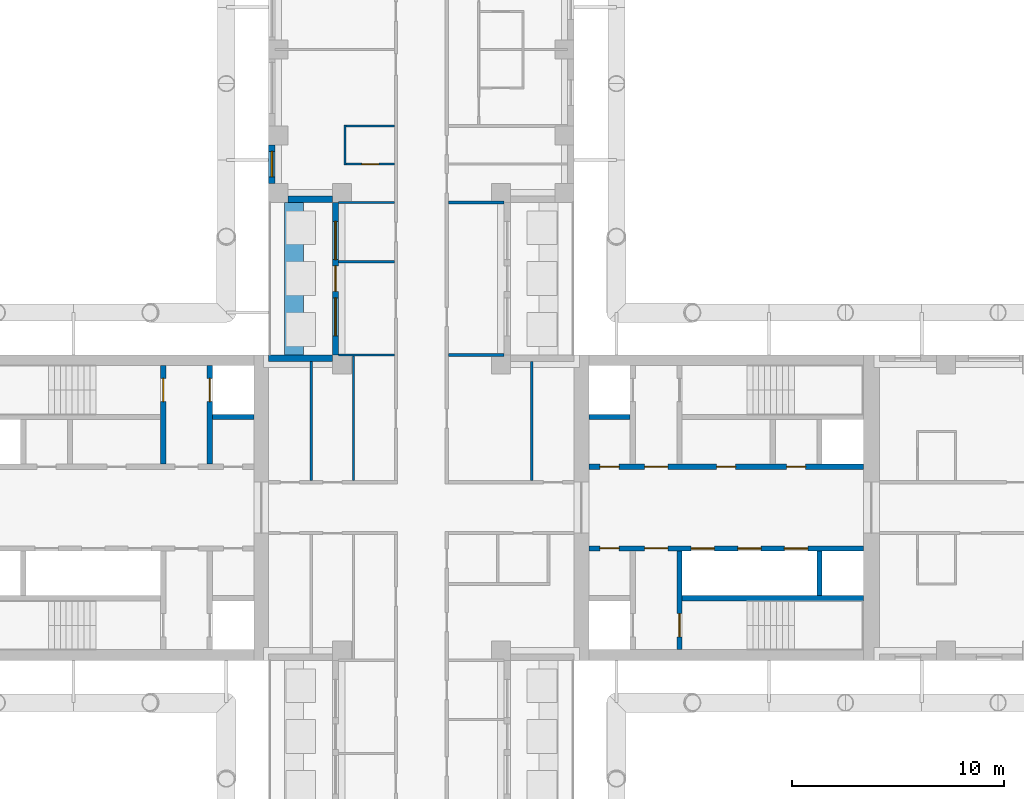
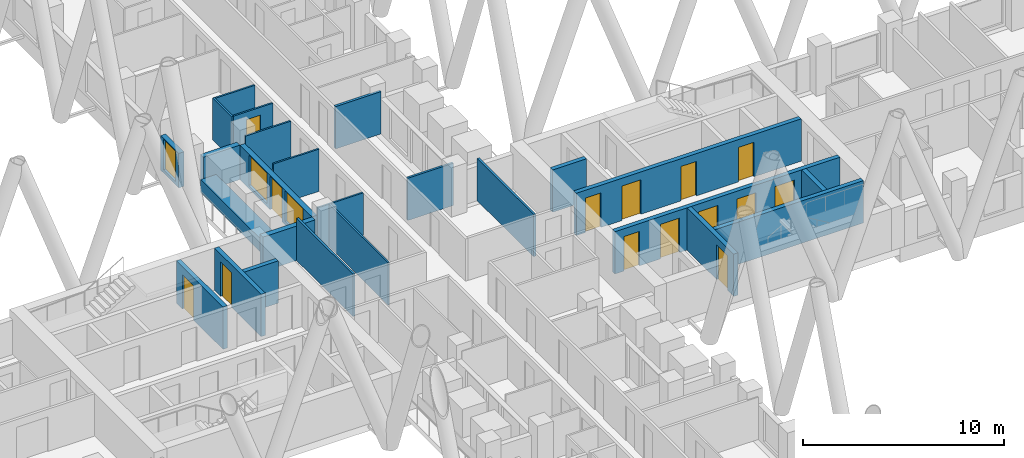
# One storey, part 9 of 17: 25 walls, 14 doors, 3 windows, 17 openings.
"""IFC4 building model written with IfcOpenShell, lengths in metres."""

from ifc_helpers import new_model, si_unit, direction, frame, frame_2d, origin, place, context, subcontext, project, spatial, rectangle, extrude, material, layer, layer_set, type_object, element, fill, save


model = new_model("IFC4")

# Units and contexts
model_context = context("Model", 3, precision=1e-05, world=origin(), true_north=direction((0.0, 1.0)))
body_context = subcontext(model_context, "Body", "Model", "MODEL_VIEW")
ifc_project = project(units=[si_unit("LENGTHUNIT", "METRE"), si_unit("AREAUNIT", "SQUARE_METRE"), si_unit("VOLUMEUNIT", "CUBIC_METRE"), si_unit("PLANEANGLEUNIT", "RADIAN"), si_unit("MASSUNIT", "GRAM", prefix="KILO")], contexts=[model_context])

# Site, building, storey
site_placement = place(None, origin())
site = spatial("IfcSite", under=ifc_project, at=site_placement, CompositionType="ELEMENT")
building_placement = place(site_placement, origin())
building = spatial("IfcBuilding", under=site, at=building_placement, Name="Fustian Cross Tower", CompositionType="ELEMENT")
storey_placement = place(building_placement, frame((0.0, 0.0, 56.699951171875)))
storey = spatial("IfcBuildingStorey", under=building, at=storey_placement, Name="L17", CompositionType="ELEMENT", Elevation=56.699951171875)

# Wall
ifc_material_1 = material(Name="Plasterboard on steel stud", Category="steel")
ifc_layer_1 = layer(ifc_material_1, 0.14990234375)
ifc_layer_set_1 = layer_set([ifc_layer_1], Name="Plasterboard on steel stud")
wall_type_1 = type_object("IfcWallType", Name="COMPARTMENT WALL 150 EI 60", PredefinedType="PARTITIONING", material=ifc_layer_set_1)
wall_1_placement = place(storey_placement, frame((1.27490234375, 14.39990234375, 0.0), z_axis=(0.0, 0.0, 1.0), x_axis=(1.0, 0.0, 0.0)))
element("IfcWall", 1, at=wall_1_placement, inside=storey, type_object=wall_type_1, Name="Partition 60", PredefinedType="PARTITIONING", context=body_context, shape_type="SweptSolid", body=[
    extrude(rectangle(XDim=2.625, YDim=0.14990234375, at=frame_2d((1.3125, 0.0))), origin(), (0.0, 0.0, 1.0), 2.574951171875),
])

# Wall, openings, doors
ifc_material_2 = material(Name="Concrete C50/60", Category="concrete")
ifc_layer_2 = layer(ifc_material_2, 0.25)
ifc_layer_set_2 = layer_set([ifc_layer_2], Name="Concrete C50/60")
wall_type_2 = type_object("IfcWallType", Name="CORE LOBBY WALL 250 C50/60", PredefinedType="SHEAR", material=ifc_layer_set_2)
wall_2_placement = place(storey_placement, frame((7.89990234375, 1.925048828125, 0.0), z_axis=(0.0, 0.0, 1.0), x_axis=(1.0, 0.0, 0.0)))
wall_2 = element("IfcWall", 2, at=wall_2_placement, inside=storey, type_object=wall_type_2, Name="Core lobby wall", PredefinedType="SHEAR", context=body_context, shape_type="SweptSolid", body=[
    extrude(rectangle(XDim=12.9501953125, YDim=0.25, at=frame_2d((6.47509765625, 0.0))), origin(), (0.0, 0.0, 1.0), 2.574951171875),
])
opening_1_placement = place(wall_2_placement, frame((0.52490234375, 0.0, 0.0)))
opening_1 = element("IfcOpeningElement", 3, at=opening_1_placement, cuts=wall_2, Name="Opening CD-06-08", PredefinedType="OPENING", context=body_context, shape_type="SweptSolid", body=[
    extrude(rectangle(XDim=0.89990234375, YDim=2.10009765625, at=frame_2d((0.449951171875, 1.050048828125))), frame((0.0, 0.135009765625, 0.0), z_axis=(0.0, -1.0, 0.0), x_axis=(1.0, 0.0, 0.0)), (0.0, 0.0, 1.0), 0.27001953125),
])
opening_2_placement = place(wall_2_placement, frame((2.625, 0.0, 0.0)))
opening_2 = element("IfcOpeningElement", 4, at=opening_2_placement, cuts=wall_2, Name="Opening CD-06-10", PredefinedType="OPENING", context=body_context, shape_type="SweptSolid", body=[
    extrude(rectangle(XDim=1.10009765625, YDim=2.10009765625, at=frame_2d((0.550048828125, 1.050048828125))), frame((0.0, 0.135009765625, 0.0), z_axis=(0.0, -1.0, 0.0), x_axis=(1.0, 0.0, 0.0)), (0.0, 0.0, 1.0), 0.27001953125),
])
opening_3_placement = place(wall_2_placement, frame((6.02490234375, 0.0, 0.0)))
opening_3 = element("IfcOpeningElement", 5, at=opening_3_placement, cuts=wall_2, Name="Opening CD-06-14", PredefinedType="OPENING", context=body_context, shape_type="SweptSolid", body=[
    extrude(rectangle(XDim=0.89990234375, YDim=2.10009765625, at=frame_2d((0.449951171875, 1.050048828125))), frame((0.0, 0.135009765625, 0.0), z_axis=(0.0, -1.0, 0.0), x_axis=(1.0, 0.0, 0.0)), (0.0, 0.0, 1.0), 0.27001953125),
])
opening_4_placement = place(wall_2_placement, frame((9.324951171875, 0.0, 0.0)))
opening_4 = element("IfcOpeningElement", 6, at=opening_4_placement, cuts=wall_2, Name="Opening CD-06-15", PredefinedType="OPENING", context=body_context, shape_type="SweptSolid", body=[
    extrude(rectangle(XDim=0.89990234375, YDim=2.10009765625, at=frame_2d((0.449951171875, 1.050048828125))), frame((0.0, 0.135009765625, 0.0), z_axis=(0.0, -1.0, 0.0), x_axis=(1.0, 0.0, 0.0)), (0.0, 0.0, 1.0), 0.27001953125),
])
ifc_material_3 = material(Name="Steel", Category="steel")
door_type_1 = type_object("IfcDoorType", Name="FIRE DOOR FD30S 900X2100", OperationType="SINGLE_SWING_LEFT", PredefinedType="DOOR", material=ifc_material_3)
door_1_placement = place(opening_3_placement, origin())
door_1 = element("IfcDoor", 7, at=door_1_placement, inside=storey, type_object=door_type_1, Name="Core door CD-06-14", OperationType="SINGLE_SWING_RIGHT", OverallHeight=2.10009765625, OverallWidth=0.89990234375, PredefinedType="DOOR", context=body_context, shape_type="SweptSolid", body=[
    extrude(rectangle(XDim=0.89990234375, YDim=2.10009765625, at=frame_2d((0.449951171875, 1.050048828125))), frame((0.0, 0.02490234375, 0.0), z_axis=(0.0, -1.0, 0.0), x_axis=(1.0, 0.0, 0.0)), (0.0, 0.0, 1.0), 0.050048828125),
])
fill(opening_3, door_1)
door_2_placement = place(opening_4_placement, origin())
door_2 = element("IfcDoor", 8, at=door_2_placement, inside=storey, type_object=door_type_1, Name="Core door CD-06-15", OperationType="SINGLE_SWING_LEFT", OverallHeight=2.10009765625, OverallWidth=0.89990234375, PredefinedType="DOOR", context=body_context, shape_type="SweptSolid", body=[
    extrude(rectangle(XDim=0.89990234375, YDim=2.10009765625, at=frame_2d((0.449951171875, 1.050048828125))), frame((0.0, 0.02490234375, 0.0), z_axis=(0.0, -1.0, 0.0), x_axis=(1.0, 0.0, 0.0)), (0.0, 0.0, 1.0), 0.050048828125),
])
fill(opening_4, door_2)
ifc_material_4 = material(Name="Steel", Category="steel")
door_type_2 = type_object("IfcDoorType", Name="FIRE DOOR FD60S 1100X2100", OperationType="SINGLE_SWING_LEFT", PredefinedType="DOOR", material=ifc_material_4)
door_3_placement = place(opening_2_placement, frame((1.10009765625, 0.0, 0.0), z_axis=(0.0, 0.0, 1.0), x_axis=(-1.0, 0.0, 0.0)))
door_3 = element("IfcDoor", 9, at=door_3_placement, inside=storey, type_object=door_type_2, Name="Core door CD-06-10", OperationType="SINGLE_SWING_RIGHT", OverallHeight=2.10009765625, OverallWidth=1.10009765625, PredefinedType="DOOR", context=body_context, shape_type="SweptSolid", body=[
    extrude(rectangle(XDim=1.10009765625, YDim=2.10009765625, at=frame_2d((0.550048828125, 1.050048828125))), frame((0.0, 0.02490234375, 0.0), z_axis=(0.0, -1.0, 0.0), x_axis=(1.0, 0.0, 0.0)), (0.0, 0.0, 1.0), 0.050048828125),
])
fill(opening_2, door_3)
ifc_material_5 = material(Name="Steel", Category="steel")
door_type_3 = type_object("IfcDoorType", Name="FIRE DOOR FD60S 900X2100", OperationType="SINGLE_SWING_LEFT", PredefinedType="DOOR", material=ifc_material_5)
door_4_placement = place(opening_1_placement, origin())
door_4 = element("IfcDoor", 10, at=door_4_placement, inside=storey, type_object=door_type_3, Name="Core door CD-06-08", OperationType="SINGLE_SWING_LEFT", OverallHeight=2.10009765625, OverallWidth=0.89990234375, PredefinedType="DOOR", context=body_context, shape_type="SweptSolid", body=[
    extrude(rectangle(XDim=0.89990234375, YDim=2.10009765625, at=frame_2d((0.449951171875, 1.050048828125))), frame((0.0, 0.02490234375, 0.0), z_axis=(0.0, -1.0, 0.0), x_axis=(1.0, 0.0, 0.0)), (0.0, 0.0, 1.0), 0.050048828125),
])
fill(opening_1, door_4)

wall_3_placement = place(storey_placement, frame((7.89990234375, -1.925048828125, 0.0), z_axis=(0.0, 0.0, 1.0), x_axis=(1.0, 0.0, 0.0)))
wall_3 = element("IfcWall", 11, at=wall_3_placement, inside=storey, type_object=wall_type_2, Name="Core lobby wall", PredefinedType="SHEAR", context=body_context, shape_type="SweptSolid", body=[
    extrude(rectangle(XDim=12.9501953125, YDim=0.25, at=frame_2d((6.47509765625, 0.0))), origin(), (0.0, 0.0, 1.0), 2.574951171875),
])
opening_5_placement = place(wall_3_placement, frame((4.824951171875, 0.0, 0.0)))
opening_5 = element("IfcOpeningElement", 12, at=opening_5_placement, cuts=wall_3, Name="Opening LD", PredefinedType="OPENING", context=body_context, shape_type="SweptSolid", body=[
    extrude(rectangle(XDim=1.10009765625, YDim=2.10009765625, at=frame_2d((0.550048828125, 1.050048828125))), frame((0.0, 0.135009765625, 0.0), z_axis=(0.0, -1.0, 0.0), x_axis=(1.0, 0.0, 0.0)), (0.0, 0.0, 1.0), 0.27001953125),
])
opening_6_placement = place(wall_3_placement, frame((7.02490234375, 0.0, 0.0)))
opening_6 = element("IfcOpeningElement", 13, at=opening_6_placement, cuts=wall_3, Name="Opening LD", PredefinedType="OPENING", context=body_context, shape_type="SweptSolid", body=[
    extrude(rectangle(XDim=1.10009765625, YDim=2.10009765625, at=frame_2d((0.550048828125, 1.050048828125))), frame((0.0, 0.135009765625, 0.0), z_axis=(0.0, -1.0, 0.0), x_axis=(1.0, 0.0, 0.0)), (0.0, 0.0, 1.0), 0.27001953125),
])
opening_7_placement = place(wall_3_placement, frame((9.22509765625, 0.0, 0.0)))
opening_7 = element("IfcOpeningElement", 14, at=opening_7_placement, cuts=wall_3, Name="Opening LD", PredefinedType="OPENING", context=body_context, shape_type="SweptSolid", body=[
    extrude(rectangle(XDim=1.10009765625, YDim=2.10009765625, at=frame_2d((0.550048828125, 1.050048828125))), frame((0.0, 0.135009765625, 0.0), z_axis=(0.0, -1.0, 0.0), x_axis=(1.0, 0.0, 0.0)), (0.0, 0.0, 1.0), 0.27001953125),
])
opening_8_placement = place(wall_3_placement, frame((0.52490234375, 0.0, 0.0)))
opening_8 = element("IfcOpeningElement", 15, at=opening_8_placement, cuts=wall_3, Name="Opening CD-06-09", PredefinedType="OPENING", context=body_context, shape_type="SweptSolid", body=[
    extrude(rectangle(XDim=0.89990234375, YDim=2.10009765625, at=frame_2d((0.449951171875, 1.050048828125))), frame((0.0, 0.135009765625, 0.0), z_axis=(0.0, -1.0, 0.0), x_axis=(1.0, 0.0, 0.0)), (0.0, 0.0, 1.0), 0.27001953125),
])
opening_9_placement = place(wall_3_placement, frame((2.625, 0.0, 0.0)))
opening_9 = element("IfcOpeningElement", 16, at=opening_9_placement, cuts=wall_3, Name="Opening CD-06-11", PredefinedType="OPENING", context=body_context, shape_type="SweptSolid", body=[
    extrude(rectangle(XDim=1.10009765625, YDim=2.10009765625, at=frame_2d((0.550048828125, 1.050048828125))), frame((0.0, 0.135009765625, 0.0), z_axis=(0.0, -1.0, 0.0), x_axis=(1.0, 0.0, 0.0)), (0.0, 0.0, 1.0), 0.27001953125),
])
ifc_material_6 = material(Name="Steel", Category="steel")
door_type_4 = type_object("IfcDoorType", Name="FIRE DOOR FD30S 1100X2100", OperationType="SINGLE_SWING_LEFT", PredefinedType="DOOR", material=ifc_material_6)
door_5_placement = place(opening_9_placement, frame((1.10009765625, 0.0, 0.0), z_axis=(0.0, 0.0, 1.0), x_axis=(-1.0, 0.0, 0.0)))
door_5 = element("IfcDoor", 17, at=door_5_placement, inside=storey, type_object=door_type_4, Name="Core door CD-06-11", OperationType="SINGLE_SWING_RIGHT", OverallHeight=2.10009765625, OverallWidth=1.10009765625, PredefinedType="DOOR", context=body_context, shape_type="SweptSolid", body=[
    extrude(rectangle(XDim=1.10009765625, YDim=2.10009765625, at=frame_2d((0.550048828125, 1.050048828125))), frame((0.0, 0.02490234375, 0.0), z_axis=(0.0, -1.0, 0.0), x_axis=(1.0, 0.0, 0.0)), (0.0, 0.0, 1.0), 0.050048828125),
])
fill(opening_9, door_5)
door_6_placement = place(opening_8_placement, frame((0.89990234375, 0.0, 0.0), z_axis=(0.0, 0.0, 1.0), x_axis=(-1.0, 0.0, 0.0)))
door_6 = element("IfcDoor", 18, at=door_6_placement, inside=storey, type_object=door_type_1, Name="Core door CD-06-09", OperationType="SINGLE_SWING_RIGHT", OverallHeight=2.10009765625, OverallWidth=0.89990234375, PredefinedType="DOOR", context=body_context, shape_type="SweptSolid", body=[
    extrude(rectangle(XDim=0.89990234375, YDim=2.10009765625, at=frame_2d((0.449951171875, 1.050048828125))), frame((0.0, 0.02490234375, 0.0), z_axis=(0.0, -1.0, 0.0), x_axis=(1.0, 0.0, 0.0)), (0.0, 0.0, 1.0), 0.050048828125),
])
fill(opening_8, door_6)
ifc_material_7 = material(Name="Stainless steel", Category="steel")
door_type_5 = type_object("IfcDoorType", Name="LIFT LANDING DOOR 1100X2100", OperationType="SLIDING_TO_LEFT", PredefinedType="DOOR", material=ifc_material_7)
door_7_placement = place(opening_5_placement, origin())
door_7 = element("IfcDoor", 19, at=door_7_placement, inside=storey, type_object=door_type_5, Name="Landing door LR1", OperationType="SLIDING_TO_LEFT", OverallHeight=2.10009765625, OverallWidth=1.10009765625, PredefinedType="DOOR", context=body_context, shape_type="SweptSolid", body=[
    extrude(rectangle(XDim=1.10009765625, YDim=2.10009765625, at=frame_2d((0.550048828125, 1.050048828125))), frame((0.0, 0.02490234375, 0.0), z_axis=(0.0, -1.0, 0.0), x_axis=(1.0, 0.0, 0.0)), (0.0, 0.0, 1.0), 0.050048828125),
])
fill(opening_5, door_7)
door_8_placement = place(opening_6_placement, origin())
door_8 = element("IfcDoor", 20, at=door_8_placement, inside=storey, type_object=door_type_5, Name="Landing door LR2", OperationType="SLIDING_TO_LEFT", OverallHeight=2.10009765625, OverallWidth=1.10009765625, PredefinedType="DOOR", context=body_context, shape_type="SweptSolid", body=[
    extrude(rectangle(XDim=1.10009765625, YDim=2.10009765625, at=frame_2d((0.550048828125, 1.050048828125))), frame((0.0, 0.02490234375, 0.0), z_axis=(0.0, -1.0, 0.0), x_axis=(1.0, 0.0, 0.0)), (0.0, 0.0, 1.0), 0.050048828125),
])
fill(opening_6, door_8)
door_9_placement = place(opening_7_placement, origin())
door_9 = element("IfcDoor", 21, at=door_9_placement, inside=storey, type_object=door_type_5, Name="Landing door LR3", OperationType="SLIDING_TO_LEFT", OverallHeight=2.10009765625, OverallWidth=1.10009765625, PredefinedType="DOOR", context=body_context, shape_type="SweptSolid", body=[
    extrude(rectangle(XDim=1.10009765625, YDim=2.10009765625, at=frame_2d((0.550048828125, 1.050048828125))), frame((0.0, 0.02490234375, 0.0), z_axis=(0.0, -1.0, 0.0), x_axis=(1.0, 0.0, 0.0)), (0.0, 0.0, 1.0), 0.050048828125),
])
fill(opening_7, door_9)

# Walls
ifc_material_8 = material(Name="Concrete C50/60", Category="concrete")
ifc_layer_3 = layer(ifc_material_8, 0.25)
ifc_layer_set_3 = layer_set([ifc_layer_3], Name="Concrete C50/60")
wall_type_3 = type_object("IfcWallType", Name="CORE SHAFT WALL 250 C50/60", PredefinedType="SHEAR", material=ifc_layer_set_3)
wall_4_placement = place(storey_placement, frame((7.89990234375, 4.27490234375, 0.0), z_axis=(0.0, 0.0, 1.0), x_axis=(1.0, 0.0, 0.0)))
element("IfcWall", 22, at=wall_4_placement, inside=storey, type_object=wall_type_3, Name="Core shaft wall", PredefinedType="SHEAR", context=body_context, shape_type="SweptSolid", body=[
    extrude(rectangle(XDim=1.9501953125, YDim=0.25, at=frame_2d((0.97509765625, 0.0))), origin(), (0.0, 0.0, 1.0), 2.574951171875),
])
wall_5_placement = place(storey_placement, frame((12.300048828125, -4.27490234375, 0.0), z_axis=(0.0, 0.0, 1.0), x_axis=(1.0, 0.0, 0.0)))
element("IfcWall", 23, at=wall_5_placement, inside=storey, type_object=wall_type_3, Name="Core shaft wall", PredefinedType="SHEAR", context=body_context, shape_type="SweptSolid", body=[
    extrude(rectangle(XDim=8.550048828125, YDim=0.25, at=frame_2d((4.27490234375, 0.0))), origin(), (0.0, 0.0, 1.0), 2.574951171875),
])

# Wall, opening, door
wall_6_placement = place(storey_placement, frame((12.175048828125, -2.050048828125, 0.0), z_axis=(0.0, 0.0, 1.0), x_axis=(0.0, -1.0, 0.0)))
wall_6 = element("IfcWall", 24, at=wall_6_placement, inside=storey, type_object=wall_type_3, Name="Core shaft wall", PredefinedType="SHEAR", context=body_context, shape_type="SweptSolid", body=[
    extrude(rectangle(XDim=4.64990234375, YDim=0.25, at=frame_2d((2.324951171875, 0.0))), origin(), (0.0, 0.0, 1.0), 2.574951171875),
])
opening_10_placement = place(wall_6_placement, frame((2.949951171875, 0.0, 0.0)))
opening_10 = element("IfcOpeningElement", 25, at=opening_10_placement, cuts=wall_6, Name="Opening CD-06-07", PredefinedType="OPENING", context=body_context, shape_type="SweptSolid", body=[
    extrude(rectangle(XDim=1.10009765625, YDim=2.10009765625, at=frame_2d((0.550048828125, 1.050048828125))), frame((0.0, 0.135009765625, 0.0), z_axis=(0.0, -1.0, 0.0), x_axis=(1.0, 0.0, 0.0)), (0.0, 0.0, 1.0), 0.27001953125),
])
door_10_placement = place(opening_10_placement, origin())
door_10 = element("IfcDoor", 26, at=door_10_placement, inside=storey, type_object=door_type_2, Name="Core door CD-06-07", OperationType="SINGLE_SWING_LEFT", OverallHeight=2.10009765625, OverallWidth=1.10009765625, PredefinedType="DOOR", context=body_context, shape_type="SweptSolid", body=[
    extrude(rectangle(XDim=1.10009765625, YDim=2.10009765625, at=frame_2d((0.550048828125, 1.050048828125))), frame((0.0, 0.02490234375, 0.0), z_axis=(0.0, -1.0, 0.0), x_axis=(1.0, 0.0, 0.0)), (0.0, 0.0, 1.0), 0.050048828125),
])
fill(opening_10, door_10)

# Wall
wall_7_placement = place(storey_placement, frame((-7.89990234375, 4.27490234375, 0.0), z_axis=(0.0, 0.0, 1.0), x_axis=(-1.0, 0.0, 0.0)))
element("IfcWall", 27, at=wall_7_placement, inside=storey, type_object=wall_type_3, Name="Core shaft wall", PredefinedType="SHEAR", context=body_context, shape_type="SweptSolid", body=[
    extrude(rectangle(XDim=1.9501953125, YDim=0.25, at=frame_2d((0.97509765625, 0.0))), origin(), (0.0, 0.0, 1.0), 2.574951171875),
])

# Wall, opening, door
wall_8_placement = place(storey_placement, frame((-9.97509765625, 2.050048828125, 0.0), z_axis=(0.0, 0.0, 1.0), x_axis=(0.0, 1.0, 0.0)))
wall_8 = element("IfcWall", 28, at=wall_8_placement, inside=storey, type_object=wall_type_3, Name="Core shaft wall", PredefinedType="SHEAR", context=body_context, shape_type="SweptSolid", body=[
    extrude(rectangle(XDim=4.64990234375, YDim=0.25, at=frame_2d((2.324951171875, 0.0))), origin(), (0.0, 0.0, 1.0), 2.574951171875),
])
opening_11_placement = place(wall_8_placement, frame((2.949951171875, 0.0, 0.0)))
opening_11 = element("IfcOpeningElement", 29, at=opening_11_placement, cuts=wall_8, Name="Opening LD", PredefinedType="OPENING", context=body_context, shape_type="SweptSolid", body=[
    extrude(rectangle(XDim=1.10009765625, YDim=2.10009765625, at=frame_2d((0.550048828125, 1.050048828125))), frame((0.0, 0.135009765625, 0.0), z_axis=(0.0, -1.0, 0.0), x_axis=(1.0, 0.0, 0.0)), (0.0, 0.0, 1.0), 0.27001953125),
])
door_11_placement = place(opening_11_placement, origin())
door_11 = element("IfcDoor", 30, at=door_11_placement, inside=storey, type_object=door_type_5, Name="Landing door FL1W", OperationType="SLIDING_TO_LEFT", OverallHeight=2.10009765625, OverallWidth=1.10009765625, PredefinedType="DOOR", context=body_context, shape_type="SweptSolid", body=[
    extrude(rectangle(XDim=1.10009765625, YDim=2.10009765625, at=frame_2d((0.550048828125, 1.050048828125))), frame((0.0, 0.02490234375, 0.0), z_axis=(0.0, -1.0, 0.0), x_axis=(1.0, 0.0, 0.0)), (0.0, 0.0, 1.0), 0.050048828125),
])
fill(opening_11, door_11)

wall_9_placement = place(storey_placement, frame((-12.175048828125, 2.050048828125, 0.0), z_axis=(0.0, 0.0, 1.0), x_axis=(0.0, 1.0, 0.0)))
wall_9 = element("IfcWall", 31, at=wall_9_placement, inside=storey, type_object=wall_type_3, Name="Core shaft wall", PredefinedType="SHEAR", context=body_context, shape_type="SweptSolid", body=[
    extrude(rectangle(XDim=4.64990234375, YDim=0.25, at=frame_2d((2.324951171875, 0.0))), origin(), (0.0, 0.0, 1.0), 2.574951171875),
])
opening_12_placement = place(wall_9_placement, frame((2.949951171875, 0.0, 0.0)))
opening_12 = element("IfcOpeningElement", 32, at=opening_12_placement, cuts=wall_9, Name="Opening CD-06-21", PredefinedType="OPENING", context=body_context, shape_type="SweptSolid", body=[
    extrude(rectangle(XDim=1.10009765625, YDim=2.10009765625, at=frame_2d((0.550048828125, 1.050048828125))), frame((0.0, 0.135009765625, 0.0), z_axis=(0.0, -1.0, 0.0), x_axis=(1.0, 0.0, 0.0)), (0.0, 0.0, 1.0), 0.27001953125),
])
door_12_placement = place(opening_12_placement, origin())
door_12 = element("IfcDoor", 33, at=door_12_placement, inside=storey, type_object=door_type_2, Name="Core door CD-06-21", OperationType="SINGLE_SWING_LEFT", OverallHeight=2.10009765625, OverallWidth=1.10009765625, PredefinedType="DOOR", context=body_context, shape_type="SweptSolid", body=[
    extrude(rectangle(XDim=1.10009765625, YDim=2.10009765625, at=frame_2d((0.550048828125, 1.050048828125))), frame((0.0, 0.02490234375, 0.0), z_axis=(0.0, -1.0, 0.0), x_axis=(1.0, 0.0, 0.0)), (0.0, 0.0, 1.0), 0.050048828125),
])
fill(opening_12, door_12)

# Walls
ifc_material_9 = material(Name="Plasterboard on steel stud", Category="steel")
ifc_layer_4 = layer(ifc_material_9, 0.10009765625)
ifc_layer_set_4 = layer_set([ifc_layer_4], Name="Plasterboard on steel stud")
wall_type_4 = type_object("IfcWallType", Name="PARTITION 100 STUD", PredefinedType="PARTITIONING", material=ifc_layer_set_4)
for number, where, z_axis, x_axis, name in (
    (34, (-3.89990234375, 7.199951171875, 0.0), (0.0, 0.0, 1.0), (1.0, 0.0, 0.0), "Partition 31"),
    (35, (-3.89990234375, 11.60009765625, 0.0), (0.0, 0.0, 1.0), (1.0, 0.0, 0.0), "Partition 32"),
    (36, (-3.89990234375, 14.39990234375, 0.0), (0.0, 0.0, 1.0), (1.0, 0.0, 0.0), "Partition 33"),
):
    element("IfcWall", number, at=place(storey_placement, frame(where, z_axis=z_axis, x_axis=x_axis)), inside=storey, type_object=wall_type_4, Name=name, PredefinedType="PARTITIONING", context=body_context, shape_type="SweptSolid", body=[
        extrude(rectangle(XDim=2.625, YDim=0.10009765625, at=frame_2d((1.3125, 0.0))), origin(), (0.0, 0.0, 1.0), 2.574951171875),
    ])
wall_10_placement = place(storey_placement, frame((-3.60009765625, 16.14990234375, 0.0), z_axis=(0.0, 0.0, 1.0), x_axis=(0.0, 1.0, 0.0)))
element("IfcWall", 37, at=wall_10_placement, inside=storey, type_object=wall_type_4, Name="Partition 34", PredefinedType="PARTITIONING", context=body_context, shape_type="SweptSolid", body=[
    extrude(rectangle(XDim=1.900146484375, YDim=0.10009765625, at=frame_2d((0.9501953125, 0.0))), origin(), (0.0, 0.0, 1.0), 2.574951171875),
])

# Wall, opening, door
wall_11_placement = place(storey_placement, frame((-3.550048828125, 16.199951171875, 0.0), z_axis=(0.0, 0.0, 1.0), x_axis=(1.0, 0.0, 0.0)))
wall_11 = element("IfcWall", 38, at=wall_11_placement, inside=storey, type_object=wall_type_4, Name="Partition 35", PredefinedType="PARTITIONING", context=body_context, shape_type="SweptSolid", body=[
    extrude(rectangle(XDim=2.275146484375, YDim=0.10009765625, at=frame_2d((1.1376953125, 0.0))), origin(), (0.0, 0.0, 1.0), 2.574951171875),
])
opening_13_placement = place(wall_11_placement, frame((0.75, 0.0, 0.0)))
opening_13 = element("IfcOpeningElement", 39, at=opening_13_placement, cuts=wall_11, Name="Opening D09024", PredefinedType="OPENING", context=body_context, shape_type="SweptSolid", body=[
    extrude(rectangle(XDim=0.800048828125, YDim=2.10009765625, at=frame_2d((0.39990234375, 1.050048828125))), frame((0.0, 0.06005859375, 0.0), z_axis=(0.0, -1.0, 0.0), x_axis=(1.0, 0.0, 0.0)), (0.0, 0.0, 1.0), 0.1201171875),
])
ifc_material_10 = material(Name="Painted timber", Category="wood")
door_type_6 = type_object("IfcDoorType", Name="SWING DOOR 800", OperationType="SINGLE_SWING_LEFT", PredefinedType="DOOR", material=ifc_material_10)
door_13_placement = place(opening_13_placement, origin())
door_13 = element("IfcDoor", 40, at=door_13_placement, inside=storey, type_object=door_type_6, Name="Door D09024", OperationType="SINGLE_SWING_LEFT", OverallHeight=2.10009765625, OverallWidth=0.800048828125, PredefinedType="DOOR", context=body_context, shape_type="SweptSolid", body=[
    extrude(rectangle(XDim=0.800048828125, YDim=2.10009765625, at=frame_2d((0.39990234375, 1.050048828125))), frame((0.0, 0.02490234375, 0.0), z_axis=(0.0, -1.0, 0.0), x_axis=(1.0, 0.0, 0.0)), (0.0, 0.0, 1.0), 0.050048828125),
])
fill(opening_13, door_13)

# Walls
wall_12_placement = place(storey_placement, frame((-3.550048828125, 18.0, 0.0), z_axis=(0.0, 0.0, 1.0), x_axis=(1.0, 0.0, 0.0)))
element("IfcWall", 41, at=wall_12_placement, inside=storey, type_object=wall_type_4, Name="Partition 36", PredefinedType="PARTITIONING", context=body_context, shape_type="SweptSolid", body=[
    extrude(rectangle(XDim=2.275146484375, YDim=0.10009765625, at=frame_2d((1.1376953125, 0.0))), origin(), (0.0, 0.0, 1.0), 2.574951171875),
])
wall_13_placement = place(storey_placement, frame((-3.199951171875, 1.27490234375, 0.0), z_axis=(0.0, 0.0, 1.0), x_axis=(0.0, 1.0, 0.0)))
element("IfcWall", 42, at=wall_13_placement, inside=storey, type_object=wall_type_4, Name="Partition 41", PredefinedType="PARTITIONING", context=body_context, shape_type="SweptSolid", body=[
    extrude(rectangle(XDim=5.875, YDim=0.10009765625, at=frame_2d((2.9375, 0.0))), origin(), (0.0, 0.0, 1.0), 2.574951171875),
])
ifc_material_11 = material(Name="Concrete C40/50", Category="concrete")
ifc_layer_5 = layer(ifc_material_11, 0.89990234375)
ifc_layer_set_5 = layer_set([ifc_layer_5], Name="Concrete C40/50")
wall_type_5 = type_object("IfcWallType", Name="PK1 PLANTER 900", PredefinedType="PARAPET", material=ifc_layer_set_5)
wall_14_placement = place(storey_placement, frame((-6.0, 7.199951171875, 0.0), z_axis=(0.0, 0.0, 1.0), x_axis=(0.0, 1.0, 0.0)))
element("IfcWall", 43, at=wall_14_placement, inside=storey, type_object=wall_type_5, Name="PLANTER", PredefinedType="PARAPET", context=body_context, shape_type="SweptSolid", body=[
    extrude(rectangle(XDim=7.199951171875, YDim=0.89990234375, at=frame_2d((3.60009765625, 0.0))), origin(), (0.0, 0.0, 1.0), 0.800048828125),
])
ifc_material_12 = material(Name="Concrete C40/50", Category="concrete")
ifc_layer_6 = layer(ifc_material_12, 0.25)
ifc_layer_set_6 = layer_set([ifc_layer_6], Name="Concrete C40/50")
wall_type_6 = type_object("IfcWallType", Name="SHAFT PARTITION WALL 250 C40/50", PredefinedType="PARTITIONING", material=ifc_layer_set_6)
wall_15_placement = place(storey_placement, frame((18.77490234375, -2.050048828125, 0.0), z_axis=(0.0, 0.0, 1.0), x_axis=(0.0, -1.0, 0.0)))
element("IfcWall", 44, at=wall_15_placement, inside=storey, type_object=wall_type_6, Name="Core shaft wall", PredefinedType="PARTITIONING", context=body_context, shape_type="SweptSolid", body=[
    extrude(rectangle(XDim=2.099853515625, YDim=0.25, at=frame_2d((1.0498046875, 0.0))), origin(), (0.0, 0.0, 1.0), 2.574951171875),
])
ifc_material_13 = material(Name="Plasterboard on steel stud", Category="steel")
ifc_layer_7 = layer(ifc_material_13, 0.125)
ifc_layer_set_7 = layer_set([ifc_layer_7], Name="Plasterboard on steel stud")
wall_type_7 = type_object("IfcWallType", Name="WET WALL 125 STUD", PredefinedType="PARTITIONING", material=ifc_layer_set_7)
wall_16_placement = place(storey_placement, frame((-5.199951171875, 1.27490234375, 0.0), z_axis=(0.0, 0.0, 1.0), x_axis=(0.0, 1.0, 0.0)))
element("IfcWall", 45, at=wall_16_placement, inside=storey, type_object=wall_type_7, Name="Partition 23", PredefinedType="PARTITIONING", context=body_context, shape_type="SweptSolid", body=[
    extrude(rectangle(XDim=5.625, YDim=0.125, at=frame_2d((2.8125, 0.0))), origin(), (0.0, 0.0, 1.0), 2.574951171875),
])
wall_17_placement = place(storey_placement, frame((1.27490234375, 7.199951171875, 0.0), z_axis=(0.0, 0.0, 1.0), x_axis=(1.0, 0.0, 0.0)))
element("IfcWall", 46, at=wall_17_placement, inside=storey, type_object=wall_type_7, Name="Partition 59", PredefinedType="PARTITIONING", context=body_context, shape_type="SweptSolid", body=[
    extrude(rectangle(XDim=2.625, YDim=0.125, at=frame_2d((1.3125, 0.0))), origin(), (0.0, 0.0, 1.0), 2.574951171875),
])
wall_18_placement = place(storey_placement, frame((5.199951171875, 1.27490234375, 0.0), z_axis=(0.0, 0.0, 1.0), x_axis=(0.0, 1.0, 0.0)))
element("IfcWall", 47, at=wall_18_placement, inside=storey, type_object=wall_type_7, Name="Partition 86", PredefinedType="PARTITIONING", context=body_context, shape_type="SweptSolid", body=[
    extrude(rectangle(XDim=5.625, YDim=0.125, at=frame_2d((2.8125, 0.0))), origin(), (0.0, 0.0, 1.0), 2.574951171875),
])

# Wall, opening, window
ifc_material_14 = material(Name="Dark aluminium cladding on insulated backing wall", Category="aluminium")
ifc_layer_8 = layer(ifc_material_14, 0.300048828125)
ifc_layer_set_8 = layer_set([ifc_layer_8], Name="Dark aluminium cladding on insulated backing wall")
wall_type_8 = type_object("IfcWallType", Name="XW1 EXTERNAL WALL 300", PredefinedType="SOLIDWALL", material=ifc_layer_set_8)
wall_19_placement = place(storey_placement, frame((-7.050048828125, 17.10009765625, 0.0), z_axis=(0.0, 0.0, 1.0), x_axis=(0.0, -1.0, 0.0)))
wall_19 = element("IfcWall", 48, at=wall_19_placement, inside=storey, type_object=wall_type_8, Name="External wall", PredefinedType="SOLIDWALL", context=body_context, shape_type="SweptSolid", body=[
    extrude(rectangle(XDim=1.800048828125, YDim=0.300048828125, at=frame_2d((0.89990234375, 0.0))), origin(), (0.0, 0.0, 1.0), 2.10009765625),
])
opening_14_placement = place(wall_19_placement, frame((0.300048828125, 0.0, 0.199951171875)))
opening_14 = element("IfcOpeningElement", 49, at=opening_14_placement, cuts=wall_19, Name="Opening WN3", PredefinedType="OPENING", context=body_context, shape_type="SweptSolid", body=[
    extrude(rectangle(XDim=1.199951171875, YDim=1.85009765625, at=frame_2d((0.60009765625, 0.925048828125))), frame((0.0, 0.159912109375, 0.0), z_axis=(0.0, -1.0, 0.0), x_axis=(1.0, 0.0, 0.0)), (0.0, 0.0, 1.0), 0.320068359375),
])
ifc_material_15 = material(Name="Dark anodised aluminium and double glazing", Category="aluminium")
window_type_1 = type_object("IfcWindowType", Name="WN3 WINDOW 1200X1850", PartitioningType="SINGLE_PANEL", PredefinedType="WINDOW", material=ifc_material_15)
window_1_placement = place(opening_14_placement, origin())
window_1 = element("IfcWindow", 50, at=window_1_placement, inside=storey, type_object=window_type_1, Name="Window", OverallHeight=1.85009765625, OverallWidth=1.199951171875, PartitioningType="SINGLE_PANEL", PredefinedType="WINDOW", context=body_context, shape_type="SweptSolid", body=[
    extrude(rectangle(XDim=1.199951171875, YDim=1.85009765625, at=frame_2d((0.60009765625, 0.925048828125))), frame((0.0, 0.030029296875, 0.0), z_axis=(0.0, -1.0, 0.0), x_axis=(1.0, 0.0, 0.0)), (0.0, 0.0, 1.0), 0.06005859375),
])
fill(opening_14, window_1)

# Wall
wall_20_placement = place(storey_placement, frame((-6.300048828125, 14.550048828125, 0.0), z_axis=(0.0, 0.0, 1.0), x_axis=(1.0, 0.0, 0.0)))
element("IfcWall", 51, at=wall_20_placement, inside=storey, type_object=wall_type_8, Name="External wall", PredefinedType="SOLIDWALL", context=body_context, shape_type="SweptSolid", body=[
    extrude(rectangle(XDim=2.10009765625, YDim=0.300048828125, at=frame_2d((1.050048828125, 0.0))), origin(), (0.0, 0.0, 1.0), 2.10009765625),
])

# Wall, openings, door, windows
wall_21_placement = place(storey_placement, frame((-4.050048828125, 14.39990234375, 0.0), z_axis=(0.0, 0.0, 1.0), x_axis=(0.0, -1.0, 0.0)))
wall_21 = element("IfcWall", 52, at=wall_21_placement, inside=storey, type_object=wall_type_8, Name="External wall", PredefinedType="SOLIDWALL", context=body_context, shape_type="SweptSolid", body=[
    extrude(rectangle(XDim=7.199951171875, YDim=0.300048828125, at=frame_2d((3.60009765625, 0.0))), origin(), (0.0, 0.0, 1.0), 2.10009765625),
])
opening_15_placement = place(wall_21_placement, frame((3.0, 0.0, 0.0)))
opening_15 = element("IfcOpeningElement", 53, at=opening_15_placement, cuts=wall_21, Name="Opening XD2", PredefinedType="OPENING", context=body_context, shape_type="SweptSolid", body=[
    extrude(rectangle(XDim=1.199951171875, YDim=2.050048828125, at=frame_2d((0.60009765625, 1.02490234375))), frame((0.0, 0.159912109375, 0.0), z_axis=(0.0, -1.0, 0.0), x_axis=(1.0, 0.0, 0.0)), (0.0, 0.0, 1.0), 0.320068359375),
])
opening_16_placement = place(wall_21_placement, frame((0.89990234375, 0.0, 0.199951171875)))
opening_16 = element("IfcOpeningElement", 54, at=opening_16_placement, cuts=wall_21, Name="Opening WN2", PredefinedType="OPENING", context=body_context, shape_type="SweptSolid", body=[
    extrude(rectangle(XDim=1.800048828125, YDim=1.85009765625, at=frame_2d((0.89990234375, 0.925048828125))), frame((0.0, 0.159912109375, 0.0), z_axis=(0.0, -1.0, 0.0), x_axis=(1.0, 0.0, 0.0)), (0.0, 0.0, 1.0), 0.320068359375),
])
opening_17_placement = place(wall_21_placement, frame((4.5, 0.0, 0.199951171875)))
opening_17 = element("IfcOpeningElement", 55, at=opening_17_placement, cuts=wall_21, Name="Opening WN2", PredefinedType="OPENING", context=body_context, shape_type="SweptSolid", body=[
    extrude(rectangle(XDim=1.800048828125, YDim=1.85009765625, at=frame_2d((0.89990234375, 0.925048828125))), frame((0.0, 0.159912109375, 0.0), z_axis=(0.0, -1.0, 0.0), x_axis=(1.0, 0.0, 0.0)), (0.0, 0.0, 1.0), 0.320068359375),
])
ifc_material_16 = material(Name="Dark anodised aluminium and double glazing", Category="aluminium")
door_type_7 = type_object("IfcDoorType", Name="ED1 BALCONY DOOR 1200X2050", OperationType="SINGLE_SWING_LEFT", PredefinedType="DOOR", material=ifc_material_16)
door_14_placement = place(opening_15_placement, origin())
door_14 = element("IfcDoor", 56, at=door_14_placement, inside=storey, type_object=door_type_7, Name="Balcony door", OperationType="SINGLE_SWING_LEFT", OverallHeight=2.050048828125, OverallWidth=1.199951171875, PredefinedType="DOOR", context=body_context, shape_type="SweptSolid", body=[
    extrude(rectangle(XDim=1.199951171875, YDim=2.050048828125, at=frame_2d((0.60009765625, 1.02490234375))), frame((0.0, 0.02490234375, 0.0), z_axis=(0.0, -1.0, 0.0), x_axis=(1.0, 0.0, 0.0)), (0.0, 0.0, 1.0), 0.050048828125),
])
fill(opening_15, door_14)
ifc_material_17 = material(Name="Dark anodised aluminium and double glazing", Category="aluminium")
window_type_2 = type_object("IfcWindowType", Name="WN2 WINDOW 1800X1850", PartitioningType="SINGLE_PANEL", PredefinedType="WINDOW", material=ifc_material_17)
window_2_placement = place(opening_16_placement, origin())
window_2 = element("IfcWindow", 57, at=window_2_placement, inside=storey, type_object=window_type_2, Name="Window", OverallHeight=1.85009765625, OverallWidth=1.800048828125, PartitioningType="SINGLE_PANEL", PredefinedType="WINDOW", context=body_context, shape_type="SweptSolid", body=[
    extrude(rectangle(XDim=1.800048828125, YDim=1.85009765625, at=frame_2d((0.89990234375, 0.925048828125))), frame((0.0, 0.030029296875, 0.0), z_axis=(0.0, -1.0, 0.0), x_axis=(1.0, 0.0, 0.0)), (0.0, 0.0, 1.0), 0.06005859375),
])
fill(opening_16, window_2)
window_3_placement = place(opening_17_placement, origin())
window_3 = element("IfcWindow", 58, at=window_3_placement, inside=storey, type_object=window_type_2, Name="Window", OverallHeight=1.85009765625, OverallWidth=1.800048828125, PartitioningType="SINGLE_PANEL", PredefinedType="WINDOW", context=body_context, shape_type="SweptSolid", body=[
    extrude(rectangle(XDim=1.800048828125, YDim=1.85009765625, at=frame_2d((0.89990234375, 0.925048828125))), frame((0.0, 0.030029296875, 0.0), z_axis=(0.0, -1.0, 0.0), x_axis=(1.0, 0.0, 0.0)), (0.0, 0.0, 1.0), 0.06005859375),
])
fill(opening_17, window_3)

# Wall
wall_22_placement = place(storey_placement, frame((-4.199951171875, 7.050048828125, 0.0), z_axis=(0.0, 0.0, 1.0), x_axis=(-1.0, 0.0, 0.0)))
element("IfcWall", 59, at=wall_22_placement, inside=storey, type_object=wall_type_8, Name="External wall", PredefinedType="SOLIDWALL", context=body_context, shape_type="SweptSolid", body=[
    extrude(rectangle(XDim=3.0, YDim=0.300048828125, at=frame_2d((1.5, 0.0))), origin(), (0.0, 0.0, 1.0), 2.10009765625),
])

save(model, "model.ifc")
